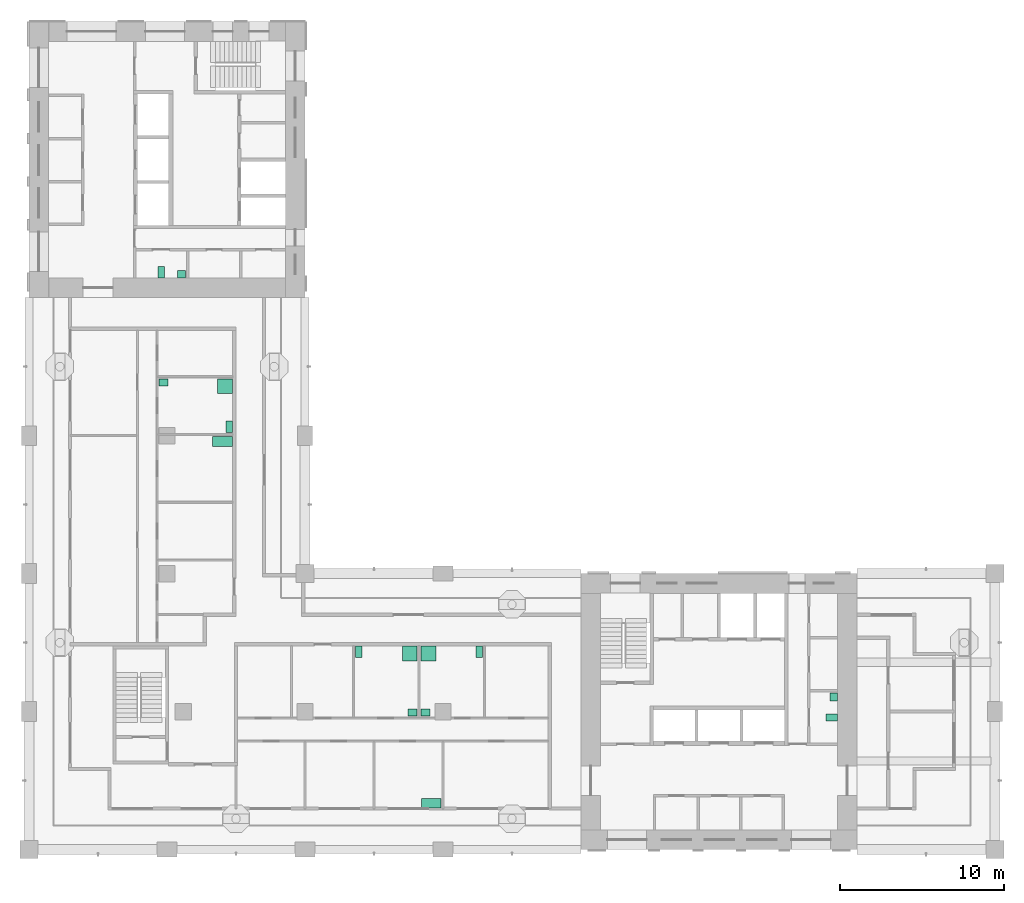
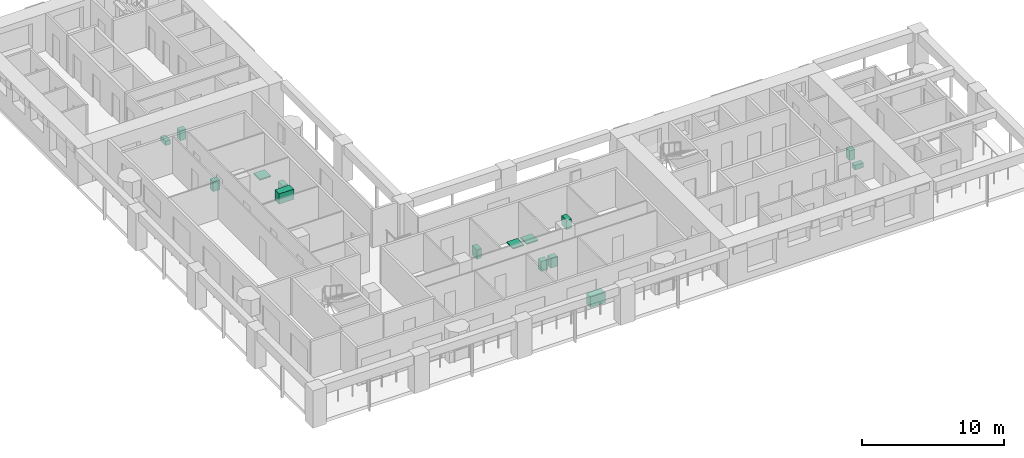
# One storey, part 11 of 13: 15 sanitary terminals.
"""IFC4 building model written with IfcOpenShell, lengths in metres."""

import ifcopenshell
import ifcopenshell.guid

model = None  # the IFC model being written
_history = None  # IfcOwnerHistory: only IFC2X3 demands one
_inside = {}  # id of a spatial element -> (the spatial element, [elements in it])
_under = {}  # id of a project, library or spatial element -> (it, [spatial elements below it])
_declared = {}  # id of a project -> (the project, [libraries it declares])
_typed = {}  # id of a type object -> (the type object, [elements of that type])
_made_of = {}  # id of a material, layer set ... -> (it, [elements and type objects made of it])


def new_model(schema):
    """Start an empty IFC model of exactly this schema.

    Asked for "IFC4X3", IfcOpenShell would pick the latest addendum, in which some entities
    have other attributes; the version numbers below select the first issue.
    IFC2X3 requires an IfcOwnerHistory on every rooted entity: one is made here for all.
    """
    global model, _history
    if schema == "IFC4X3":
        model = ifcopenshell.file(schema_version=(4, 3, 0, 0))
    else:
        model = ifcopenshell.file(schema=schema)
    _inside.clear()
    _under.clear()
    _declared.clear()
    _typed.clear()
    _made_of.clear()
    _history = None
    if model.schema == "IFC2X3":
        org = make("IfcOrganization", Name="unknown")
        user = make(
            "IfcPersonAndOrganization",
            ThePerson=make("IfcPerson", FamilyName="unknown"),
            TheOrganization=org,
        )
        app = make(
            "IfcApplication",
            ApplicationDeveloper=org,
            Version="unknown",
            ApplicationFullName="unknown",
            ApplicationIdentifier="unknown",
        )
        _history = make(
            "IfcOwnerHistory",
            OwningUser=user,
            OwningApplication=app,
            ChangeAction="ADDED",
            CreationDate=0,
        )
    return model


def make(cls, **values):
    """One entity of the class cls with the attributes given. An attribute that is None is left unset."""
    return model.create_entity(
        cls, **{name: value for name, value in values.items() if value is not None}
    )


def rooted(cls, **values):
    """An entity with a GlobalId (a new one), such as an element, a storey or a relation."""
    return make(cls, GlobalId=ifcopenshell.guid.new(), OwnerHistory=_history, **values)


def si_unit(unit_type, name, prefix=None):
    """IfcSIUnit, for example si_unit("LENGTHUNIT", "METRE", prefix="MILLI")."""
    return make("IfcSIUnit", UnitType=unit_type, Prefix=prefix, Name=name)


def assignment(units):
    """IfcUnitAssignment: the units of a project."""
    return None if units is None else make("IfcUnitAssignment", Units=units)


def point(xyz):
    """IfcCartesianPoint."""
    return None if xyz is None else make("IfcCartesianPoint", Coordinates=xyz)


def direction(xyz):
    """IfcDirection."""
    return None if xyz is None else make("IfcDirection", DirectionRatios=xyz)


def frame(location, z_axis=None, x_axis=None):
    """IfcAxis2Placement3D, a coordinate frame: its origin and axes. An axis left out is left unset."""
    return make(
        "IfcAxis2Placement3D",
        Location=point(location),
        Axis=direction(z_axis),
        RefDirection=direction(x_axis),
    )


def frame_2d(location, x_axis=None):
    """IfcAxis2Placement2D, a coordinate frame in the plane: its origin and x axis."""
    return make(
        "IfcAxis2Placement2D", Location=point(location), RefDirection=direction(x_axis)
    )


def origin():
    """The frame at (0, 0, 0) with its axes left unset."""
    return frame((0.0, 0.0, 0.0))


def origin_2d():
    """The frame at (0, 0) in the plane with its x axis left unset."""
    return frame_2d((0.0, 0.0))


def place(relative_to, where):
    """IfcLocalPlacement: puts the frame where relative to a parent placement (None: the world)."""
    return make(
        "IfcLocalPlacement", PlacementRelTo=relative_to, RelativePlacement=where
    )


def context(
    kind, dimensions, precision=None, world=None, true_north=None, identifier=None
):
    """IfcGeometricRepresentationContext, for example the 3D "Model" context."""
    return make(
        "IfcGeometricRepresentationContext",
        ContextIdentifier=identifier,
        ContextType=kind,
        CoordinateSpaceDimension=dimensions,
        Precision=precision,
        WorldCoordinateSystem=world,
        TrueNorth=true_north,
    )


def subcontext(parent, identifier, kind, view, scale=None):
    """IfcGeometricRepresentationSubContext, for example "Body" below "Model"."""
    return make(
        "IfcGeometricRepresentationSubContext",
        ContextIdentifier=identifier,
        ContextType=kind,
        ParentContext=parent,
        TargetScale=scale,
        TargetView=view,
    )


def project(units=None, contexts=None):
    """IfcProject with its units and contexts."""
    return rooted(
        "IfcProject",
        Name="project",
        RepresentationContexts=contexts,
        UnitsInContext=assignment(units),
    )


def spatial(cls, under=None, at=None, **own):
    """A site, building, storey or space (cls), placed at a placement, below another one or the project."""
    s = rooted(cls, ObjectPlacement=at, **own)
    if under is not None:
        _under.setdefault(under.id(), (under, []))[1].append(s)
    return s


def profile(cls, at=None, kind="AREA", **sizes):
    """A parametric profile (cls). Its sizes go by their IFC names, for example OverallWidth=200.0."""
    return make(cls, ProfileType=kind, Position=at, **sizes)


def rectangle(**sizes):
    """IfcRectangleProfileDef."""
    return profile("IfcRectangleProfileDef", **sizes)


def extrude(swept, where, along, depth):
    """IfcExtrudedAreaSolid: the profile swept, set in the frame where, extruded along a direction by depth."""
    return make(
        "IfcExtrudedAreaSolid",
        SweptArea=swept,
        Position=where,
        ExtrudedDirection=direction(along),
        Depth=depth,
    )


def shape(context_of_items, identifier, shape_type, items):
    """IfcShapeRepresentation: the items that make up one representation, for example the "Body"."""
    return make(
        "IfcShapeRepresentation",
        ContextOfItems=context_of_items,
        RepresentationIdentifier=identifier,
        RepresentationType=shape_type,
        Items=items,
    )


def material(Name=None, Category=None):
    """IfcMaterial."""
    return make("IfcMaterial", Name=Name, Category=Category)


def made_of(thing, what):
    """Note that an element or type object is made of a material, layer set ...; save() writes the relation."""
    if what is not None:
        _made_of.setdefault(what.id(), (what, []))[1].append(thing)
    return thing


def element(
    cls,
    number,
    at=None,
    inside=None,
    cuts=None,
    type_object=None,
    material=None,
    context=None,
    identifier="Body",
    shape_type=None,
    held_by="IfcProductDefinitionShape",
    body=None,
    shapes=None,
    **own,
):
    """One element of the class cls, such as IfcWall. Its Tag is "e" and its number.

    at: its placement. inside: the storey or other place that contains it. cuts: it is an
    opening in that element (IfcRelVoidsElement). A single representation is given by context,
    identifier, shape_type and body (its items); several are given by shapes. held_by: the class
    of the entity that holds the representations. save() writes the other relations.
    """
    e = rooted(cls, Tag="e%d" % number, ObjectPlacement=at, **own)
    if body is not None:
        shapes = [shape(context, identifier, shape_type, body)]
    if shapes is not None:
        e.Representation = make(held_by, Representations=shapes)
    if inside is not None:
        _inside.setdefault(inside.id(), (inside, []))[1].append(e)
    if cuts is not None:
        rooted(
            "IfcRelVoidsElement", RelatingBuildingElement=cuts, RelatedOpeningElement=e
        )
    if type_object is not None:
        _typed.setdefault(type_object.id(), (type_object, []))[1].append(e)
    return made_of(e, material)


def aggregate(whole, parts):
    """IfcRelAggregates: a whole, such as a stair, and the parts it consists of."""
    return rooted("IfcRelAggregates", RelatingObject=whole, RelatedObjects=parts)


def save(model, path):
    """Write the relations noted so far, then the file.

    IfcRelAggregates (storeys below a building ...), IfcRelContainedInSpatialStructure (elements
    in a storey), IfcRelDefinesByType, IfcRelAssociatesMaterial and IfcRelDeclares: one each for
    every whole, place, type object, material and project.
    """
    for whole, parts in _under.values():
        aggregate(whole, parts)
    for where, things in _inside.values():
        rooted(
            "IfcRelContainedInSpatialStructure",
            RelatedElements=things,
            RelatingStructure=where,
        )
    for kind, things in _typed.values():
        rooted("IfcRelDefinesByType", RelatedObjects=things, RelatingType=kind)
    for what, things in _made_of.values():
        rooted("IfcRelAssociatesMaterial", RelatedObjects=things, RelatingMaterial=what)
    for by, libraries in _declared.values():
        rooted("IfcRelDeclares", RelatingContext=by, RelatedDefinitions=libraries)
    model.write(path)


model = new_model("IFC4")

# Units and contexts
model_context = context("Model", 3, precision=1e-05, world=origin(), true_north=direction((0.0, 1.0)))
body_context = subcontext(model_context, "Body", "Model", "MODEL_VIEW")
ifc_project = project(units=[si_unit("LENGTHUNIT", "METRE"), si_unit("AREAUNIT", "SQUARE_METRE"), si_unit("VOLUMEUNIT", "CUBIC_METRE"), si_unit("PLANEANGLEUNIT", "RADIAN"), si_unit("MASSUNIT", "GRAM", prefix="KILO")], contexts=[model_context])

# Site, building, storey
site_placement = place(None, origin())
site = spatial("IfcSite", under=ifc_project, at=site_placement, CompositionType="ELEMENT")
building_placement = place(site_placement, origin())
building = spatial("IfcBuilding", under=site, at=building_placement, Name="Vermilion Gate Residences", CompositionType="ELEMENT")
storey_placement = place(building_placement, frame((0.0, 0.0, 189.699951171875)))
storey = spatial("IfcBuildingStorey", under=building, at=storey_placement, Name="L49", CompositionType="ELEMENT", Elevation=189.699951171875)

# Sanitary terminals
ifc_material_1 = material(Name="Vitreous china")
sanitary_terminal_1_placement = place(storey_placement, frame((57.25, 16.43994140625, 0.0), z_axis=(0.0, 0.0, 1.0), x_axis=(1.0, 0.0, 0.0)))
element("IfcSanitaryTerminal", 1, at=sanitary_terminal_1_placement, inside=storey, material=ifc_material_1, Name="Toilet pan A49", PredefinedType="TOILETPAN", context=body_context, shape_type="SweptSolid", body=[
    extrude(rectangle(XDim=0.699951171875, YDim=0.39990234375, at=origin_2d()), origin(), (0.0, 0.0, 1.0), 0.39990234375),
])
sanitary_terminal_2_placement = place(storey_placement, frame((57.375, 17.679931640625, 0.0), z_axis=(0.0, 0.0, 1.0), x_axis=(1.0, 0.0, 0.0)))
element("IfcSanitaryTerminal", 2, at=sanitary_terminal_2_placement, inside=storey, material=ifc_material_1, Name="Washbasin A49", PredefinedType="WASHHANDBASIN", context=body_context, shape_type="SweptSolid", body=[
    extrude(rectangle(XDim=0.449951171875, YDim=0.5, at=origin_2d()), origin(), (0.0, 0.0, 1.0), 0.85009765625),
])
sanitary_terminal_3_placement = place(storey_placement, frame((16.43994140625, 43.550048828125, 0.0), z_axis=(0.0, 0.0, 1.0), x_axis=(1.0, 0.0, 0.0)))
element("IfcSanitaryTerminal", 3, at=sanitary_terminal_3_placement, inside=storey, material=ifc_material_1, Name="Toilet pan B49", PredefinedType="TOILETPAN", context=body_context, shape_type="SweptSolid", body=[
    extrude(rectangle(XDim=0.39990234375, YDim=0.699951171875, at=origin_2d()), origin(), (0.0, 0.0, 1.0), 0.39990234375),
])
sanitary_terminal_4_placement = place(storey_placement, frame((17.679931640625, 43.425048828125, 0.0), z_axis=(0.0, 0.0, 1.0), x_axis=(1.0, 0.0, 0.0)))
element("IfcSanitaryTerminal", 4, at=sanitary_terminal_4_placement, inside=storey, material=ifc_material_1, Name="Washbasin B49", PredefinedType="WASHHANDBASIN", context=body_context, shape_type="SweptSolid", body=[
    extrude(rectangle(XDim=0.5, YDim=0.449951171875, at=origin_2d()), origin(), (0.0, 0.0, 1.0), 0.85009765625),
])
ifc_material_2 = material(Name="Stainless steel", Category="steel")
sanitary_terminal_5_placement = place(storey_placement, frame((32.8798828125, 11.219970703125, 0.0), z_axis=(0.0, 0.0, 1.0), x_axis=(1.0, 0.0, 0.0)))
element("IfcSanitaryTerminal", 5, at=sanitary_terminal_5_placement, inside=storey, material=ifc_material_2, Name="Kitchen sink", PredefinedType="SINK", context=body_context, shape_type="SweptSolid", body=[
    extrude(rectangle(XDim=1.199951171875, YDim=0.60009765625, at=origin_2d()), origin(), (0.0, 0.0, 1.0), 0.89990234375),
])
sanitary_terminal_6_placement = place(storey_placement, frame((31.570068359375, 20.330078125, 0.0), z_axis=(0.0, 0.0, 1.0), x_axis=(1.0, 0.0, 0.0)))
element("IfcSanitaryTerminal", 6, at=sanitary_terminal_6_placement, inside=storey, material=ifc_material_1, Name="Shower tray", PredefinedType="SHOWER", context=body_context, shape_type="SweptSolid", body=[
    extrude(rectangle(XDim=0.89990234375, YDim=0.89990234375, at=origin_2d()), origin(), (0.0, 0.0, 1.0), 0.10009765625),
])
sanitary_terminal_7_placement = place(storey_placement, frame((28.47998046875, 20.429931640625, 0.0), z_axis=(0.0, 0.0, 1.0), x_axis=(1.0, 0.0, 0.0)))
element("IfcSanitaryTerminal", 7, at=sanitary_terminal_7_placement, inside=storey, material=ifc_material_1, Name="Toilet", PredefinedType="TOILETPAN", context=body_context, shape_type="SweptSolid", body=[
    extrude(rectangle(XDim=0.39990234375, YDim=0.699951171875, at=origin_2d()), origin(), (0.0, 0.0, 1.0), 0.800048828125),
])
sanitary_terminal_8_placement = place(storey_placement, frame((31.7451171875, 16.7451171875, 0.0), z_axis=(0.0, 0.0, 1.0), x_axis=(1.0, 0.0, 0.0)))
element("IfcSanitaryTerminal", 8, at=sanitary_terminal_8_placement, inside=storey, material=ifc_material_1, Name="Wash basin", PredefinedType="WASHHANDBASIN", context=body_context, shape_type="SweptSolid", body=[
    extrude(rectangle(XDim=0.550048828125, YDim=0.449951171875, at=origin_2d()), origin(), (0.0, 0.0, 1.0), 0.85009765625),
])
sanitary_terminal_9_placement = place(storey_placement, frame((32.7099609375, 20.330078125, 0.0), z_axis=(0.0, 0.0, 1.0), x_axis=(1.0, 0.0, 0.0)))
element("IfcSanitaryTerminal", 9, at=sanitary_terminal_9_placement, inside=storey, material=ifc_material_1, Name="Shower tray", PredefinedType="SHOWER", context=body_context, shape_type="SweptSolid", body=[
    extrude(rectangle(XDim=0.89990234375, YDim=0.89990234375, at=origin_2d()), origin(), (0.0, 0.0, 1.0), 0.10009765625),
])
sanitary_terminal_10_placement = place(storey_placement, frame((35.800048828125, 20.429931640625, 0.0), z_axis=(0.0, 0.0, 1.0), x_axis=(1.0, 0.0, 0.0)))
element("IfcSanitaryTerminal", 10, at=sanitary_terminal_10_placement, inside=storey, material=ifc_material_1, Name="Toilet", PredefinedType="TOILETPAN", context=body_context, shape_type="SweptSolid", body=[
    extrude(rectangle(XDim=0.39990234375, YDim=0.699951171875, at=origin_2d()), origin(), (0.0, 0.0, 1.0), 0.800048828125),
])
sanitary_terminal_11_placement = place(storey_placement, frame((32.534912109375, 16.7451171875, 0.0), z_axis=(0.0, 0.0, 1.0), x_axis=(1.0, 0.0, 0.0)))
element("IfcSanitaryTerminal", 11, at=sanitary_terminal_11_placement, inside=storey, material=ifc_material_1, Name="Wash basin", PredefinedType="WASHHANDBASIN", context=body_context, shape_type="SweptSolid", body=[
    extrude(rectangle(XDim=0.550048828125, YDim=0.449951171875, at=origin_2d()), origin(), (0.0, 0.0, 1.0), 0.85009765625),
])
sanitary_terminal_12_placement = place(storey_placement, frame((20.179931640625, 33.239990234375, 0.0), z_axis=(0.0, 0.0, 1.0), x_axis=(1.0, 0.0, 0.0)))
element("IfcSanitaryTerminal", 12, at=sanitary_terminal_12_placement, inside=storey, material=ifc_material_2, Name="Kitchen sink", PredefinedType="SINK", context=body_context, shape_type="SweptSolid", body=[
    extrude(rectangle(XDim=1.199951171875, YDim=0.60009765625, at=origin_2d()), origin(), (0.0, 0.0, 1.0), 0.89990234375),
])
sanitary_terminal_13_placement = place(storey_placement, frame((20.330078125, 36.610107421875, 0.0), z_axis=(0.0, 0.0, 1.0), x_axis=(1.0, 0.0, 0.0)))
element("IfcSanitaryTerminal", 13, at=sanitary_terminal_13_placement, inside=storey, material=ifc_material_1, Name="Shower tray", PredefinedType="SHOWER", context=body_context, shape_type="SweptSolid", body=[
    extrude(rectangle(XDim=0.89990234375, YDim=0.89990234375, at=origin_2d()), origin(), (0.0, 0.0, 1.0), 0.10009765625),
])
sanitary_terminal_14_placement = place(storey_placement, frame((20.580078125, 34.1298828125, 0.0), z_axis=(0.0, 0.0, 1.0), x_axis=(1.0, 0.0, 0.0)))
element("IfcSanitaryTerminal", 14, at=sanitary_terminal_14_placement, inside=storey, material=ifc_material_1, Name="Toilet", PredefinedType="TOILETPAN", context=body_context, shape_type="SweptSolid", body=[
    extrude(rectangle(XDim=0.39990234375, YDim=0.699951171875, at=origin_2d()), origin(), (0.0, 0.0, 1.0), 0.800048828125),
])
sanitary_terminal_15_placement = place(storey_placement, frame((16.594970703125, 36.8349609375, 0.0), z_axis=(0.0, 0.0, 1.0), x_axis=(1.0, 0.0, 0.0)))
element("IfcSanitaryTerminal", 15, at=sanitary_terminal_15_placement, inside=storey, material=ifc_material_1, Name="Wash basin", PredefinedType="WASHHANDBASIN", context=body_context, shape_type="SweptSolid", body=[
    extrude(rectangle(XDim=0.550048828125, YDim=0.449951171875, at=origin_2d()), origin(), (0.0, 0.0, 1.0), 0.85009765625),
])

save(model, "model.ifc")
